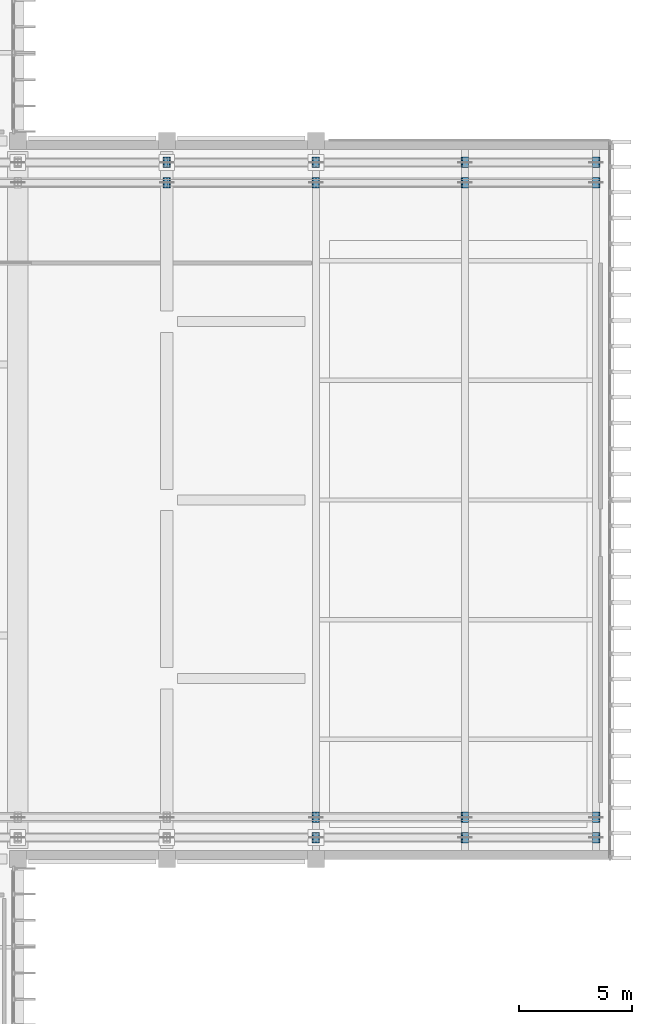
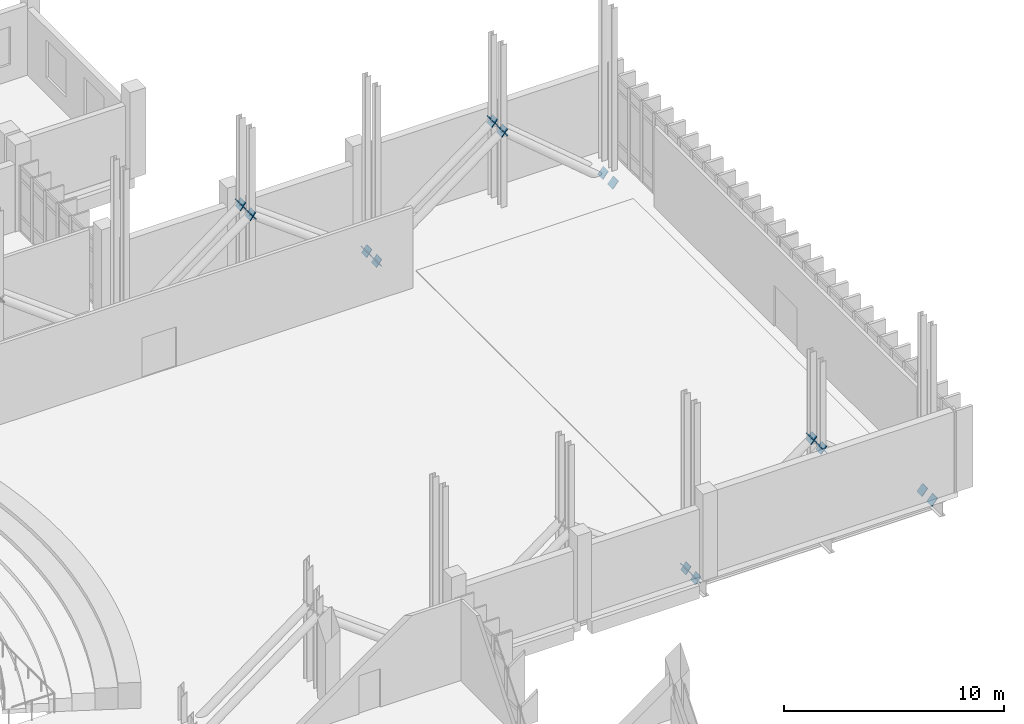
# One storey, part 61 of 73: 24 discrete accessories.
"""IFC4 building model written with IfcOpenShell, lengths in metres."""

from ifc_helpers import new_model, si_unit, direction, frame, origin, origin_2d, place, context, subcontext, project, spatial, rectangle, extrude, material, material_profile, profile_set, type_object, element, save


model = new_model("IFC4")

# Units and contexts
model_context = context("Model", 3, precision=1e-05, world=origin(), true_north=direction((0.0, 1.0)))
body_context = subcontext(model_context, "Body", "Model", "MODEL_VIEW")
ifc_project = project(units=[si_unit("LENGTHUNIT", "METRE"), si_unit("AREAUNIT", "SQUARE_METRE"), si_unit("VOLUMEUNIT", "CUBIC_METRE"), si_unit("PLANEANGLEUNIT", "RADIAN"), si_unit("MASSUNIT", "GRAM", prefix="KILO")], contexts=[model_context])

# Site, building, storey
site_placement = place(None, origin())
site = spatial("IfcSite", under=ifc_project, at=site_placement, CompositionType="ELEMENT")
building_placement = place(site_placement, origin())
building = spatial("IfcBuilding", under=site, at=building_placement, Name="Kelarvand Opera House", CompositionType="ELEMENT")
storey_placement = place(building_placement, frame((0.0, 0.0, 10.199951171875)))
storey = spatial("IfcBuildingStorey", under=building, at=storey_placement, Name="L02", CompositionType="ELEMENT", Elevation=10.199951171875)

# Discrete accessories
ifc_material = material(Name="Steel S355", Category="steel")
ifc_material_profile = material_profile(ifc_material, rectangle(XDim=0.466064453125, YDim=0.466064453125, at=origin_2d()), Name="Welded Steel Hollow End-Cap Plate 466x466x24", Category="steel")
ifc_profile_set = profile_set([ifc_material_profile], Name="Steel S355")
discrete_accessory_type = type_object("IfcDiscreteAccessoryType", Name="Welded Steel Hollow End-Cap Plate 466x466x24", PredefinedType="SHOE", material=ifc_profile_set)
for number, where, z_axis, x_axis, name in (
    (1, (141.793701171875, 47.550048828125, -0.76513671875), (0.801627475093, 0.0, -0.59782387973), (0.0, 1.0, 0.0), "Hollow Section Welded End Cap 130"),
    (2, (141.806396484375, 47.550048828125, -0.76513671875), (-0.801627475093, 0.0, -0.59782387973), (0.0, -1.0, 0.0), "Hollow Section Welded End Cap 133"),
):
    element("IfcDiscreteAccessory", number, at=place(storey_placement, frame(where, z_axis=z_axis, x_axis=x_axis)), inside=storey, type_object=discrete_accessory_type, Name=name, PredefinedType="SHOE", context=body_context, shape_type="SweptSolid", body=[
        extrude(rectangle(XDim=0.466064453125, YDim=0.466064453125, at=origin_2d()), origin(), (0.0, 0.0, 1.0), 0.035888671875),
    ])
for number, where, z_axis, x_axis, name in (
    (3, (148.3935546875, 47.550048828125, 4.125244140625), (0.804035700636, 0.0, 0.594581022319), (0.0, 1.0, 0.0), "Hollow Section Welded End Cap 134"),
    (4, (148.406005859375, 47.550048828125, 4.124755859375), (-0.759256602365, 0.0, 0.650791373456), (0.0, -1.0, 0.0), "Hollow Section Welded End Cap 137"),
    (5, (154.19384765625, 47.550048828125, -0.7646484375), (0.762105697645, 0.0, -0.647452628088), (0.0, 1.0, 0.0), "Hollow Section Welded End Cap 138"),
):
    element("IfcDiscreteAccessory", number, at=place(storey_placement, frame(where, z_axis=z_axis, x_axis=x_axis)), inside=storey, type_object=discrete_accessory_type, Name=name, PredefinedType="SHOE", context=body_context, shape_type="SweptSolid", body=[
        extrude(rectangle(XDim=0.466064453125, YDim=0.466064453125, at=origin_2d()), origin(), (0.0, 0.0, 1.0), 0.0361328125),
    ])
for number, where, z_axis, x_axis, name in (
    (6, (141.793701171875, 48.449951171875, -0.76513671875), (0.801627475093, 0.0, -0.59782387973), (0.0, 1.0, 0.0), "Hollow Section Welded End Cap 154"),
    (7, (141.806396484375, 48.449951171875, -0.76513671875), (-0.801627475093, 0.0, -0.59782387973), (0.0, -1.0, 0.0), "Hollow Section Welded End Cap 157"),
):
    element("IfcDiscreteAccessory", number, at=place(storey_placement, frame(where, z_axis=z_axis, x_axis=x_axis)), inside=storey, type_object=discrete_accessory_type, Name=name, PredefinedType="SHOE", context=body_context, shape_type="SweptSolid", body=[
        extrude(rectangle(XDim=0.466064453125, YDim=0.466064453125, at=origin_2d()), origin(), (0.0, 0.0, 1.0), 0.035888671875),
    ])
for number, where, z_axis, x_axis, name in (
    (8, (148.3935546875, 48.449951171875, 4.125244140625), (0.804035700636, 0.0, 0.594581022319), (0.0, 1.0, 0.0), "Hollow Section Welded End Cap 158"),
    (9, (148.406005859375, 48.449951171875, 4.124755859375), (-0.759256602365, 0.0, 0.650791373456), (0.0, -1.0, 0.0), "Hollow Section Welded End Cap 161"),
    (10, (154.19384765625, 48.449951171875, -0.7646484375), (0.762105697645, 0.0, -0.647452628088), (0.0, 1.0, 0.0), "Hollow Section Welded End Cap 162"),
):
    element("IfcDiscreteAccessory", number, at=place(storey_placement, frame(where, z_axis=z_axis, x_axis=x_axis)), inside=storey, type_object=discrete_accessory_type, Name=name, PredefinedType="SHOE", context=body_context, shape_type="SweptSolid", body=[
        extrude(rectangle(XDim=0.466064453125, YDim=0.466064453125, at=origin_2d()), origin(), (0.0, 0.0, 1.0), 0.0361328125),
    ])
for number, where, z_axis, x_axis, name in (
    (11, (135.193603515625, 76.550048828125, 4.125244140625), (0.801627475093, 0.0, 0.59782387973), (0.0, 1.0, 0.0), "Hollow Section Welded End Cap 174"),
    (12, (135.206298828125, 76.550048828125, 4.125244140625), (-0.801627475093, 0.0, 0.59782387973), (0.0, -1.0, 0.0), "Hollow Section Welded End Cap 177"),
    (13, (141.793701171875, 76.550048828125, -0.76513671875), (0.801627475093, 0.0, -0.59782387973), (0.0, 1.0, 0.0), "Hollow Section Welded End Cap 178"),
    (14, (141.806396484375, 76.550048828125, -0.76513671875), (-0.801627475093, 0.0, -0.59782387973), (0.0, -1.0, 0.0), "Hollow Section Welded End Cap 181"),
):
    element("IfcDiscreteAccessory", number, at=place(storey_placement, frame(where, z_axis=z_axis, x_axis=x_axis)), inside=storey, type_object=discrete_accessory_type, Name=name, PredefinedType="SHOE", context=body_context, shape_type="SweptSolid", body=[
        extrude(rectangle(XDim=0.466064453125, YDim=0.466064453125, at=origin_2d()), origin(), (0.0, 0.0, 1.0), 0.035888671875),
    ])
for number, where, z_axis, x_axis, name in (
    (15, (148.3935546875, 76.550048828125, 4.125244140625), (0.804035700636, 0.0, 0.594581022319), (0.0, 1.0, 0.0), "Hollow Section Welded End Cap 182"),
    (16, (148.406005859375, 76.550048828125, 4.124755859375), (-0.759256602365, 0.0, 0.650791373456), (0.0, -1.0, 0.0), "Hollow Section Welded End Cap 185"),
    (17, (154.19384765625, 76.550048828125, -0.7646484375), (0.762105697645, 0.0, -0.647452628088), (0.0, 1.0, 0.0), "Hollow Section Welded End Cap 186"),
):
    element("IfcDiscreteAccessory", number, at=place(storey_placement, frame(where, z_axis=z_axis, x_axis=x_axis)), inside=storey, type_object=discrete_accessory_type, Name=name, PredefinedType="SHOE", context=body_context, shape_type="SweptSolid", body=[
        extrude(rectangle(XDim=0.466064453125, YDim=0.466064453125, at=origin_2d()), origin(), (0.0, 0.0, 1.0), 0.0361328125),
    ])
for number, where, z_axis, x_axis, name in (
    (18, (135.193603515625, 77.449951171875, 4.125244140625), (0.801627475093, 0.0, 0.59782387973), (0.0, 1.0, 0.0), "Hollow Section Welded End Cap 198"),
    (19, (135.206298828125, 77.449951171875, 4.125244140625), (-0.801627475093, 0.0, 0.59782387973), (0.0, -1.0, 0.0), "Hollow Section Welded End Cap 201"),
    (20, (141.793701171875, 77.449951171875, -0.76513671875), (0.801627475093, 0.0, -0.59782387973), (0.0, 1.0, 0.0), "Hollow Section Welded End Cap 202"),
    (21, (141.806396484375, 77.449951171875, -0.76513671875), (-0.801627475093, 0.0, -0.59782387973), (0.0, -1.0, 0.0), "Hollow Section Welded End Cap 205"),
):
    element("IfcDiscreteAccessory", number, at=place(storey_placement, frame(where, z_axis=z_axis, x_axis=x_axis)), inside=storey, type_object=discrete_accessory_type, Name=name, PredefinedType="SHOE", context=body_context, shape_type="SweptSolid", body=[
        extrude(rectangle(XDim=0.466064453125, YDim=0.466064453125, at=origin_2d()), origin(), (0.0, 0.0, 1.0), 0.035888671875),
    ])
for number, where, z_axis, x_axis, name in (
    (22, (148.3935546875, 77.449951171875, 4.125244140625), (0.804035700636, 0.0, 0.594581022319), (0.0, 1.0, 0.0), "Hollow Section Welded End Cap 206"),
    (23, (148.406005859375, 77.449951171875, 4.124755859375), (-0.759256602365, 0.0, 0.650791373456), (0.0, -1.0, 0.0), "Hollow Section Welded End Cap 209"),
    (24, (154.19384765625, 77.449951171875, -0.7646484375), (0.762105697645, 0.0, -0.647452628088), (0.0, 1.0, 0.0), "Hollow Section Welded End Cap 210"),
):
    element("IfcDiscreteAccessory", number, at=place(storey_placement, frame(where, z_axis=z_axis, x_axis=x_axis)), inside=storey, type_object=discrete_accessory_type, Name=name, PredefinedType="SHOE", context=body_context, shape_type="SweptSolid", body=[
        extrude(rectangle(XDim=0.466064453125, YDim=0.466064453125, at=origin_2d()), origin(), (0.0, 0.0, 1.0), 0.0361328125),
    ])

save(model, "model.ifc")
